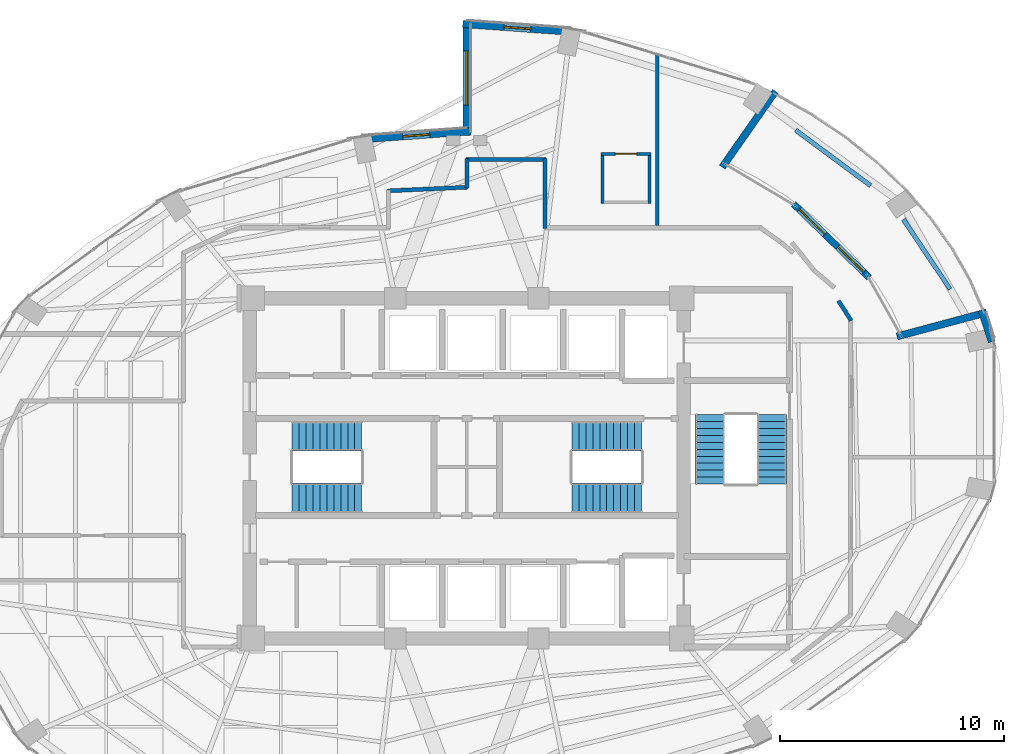
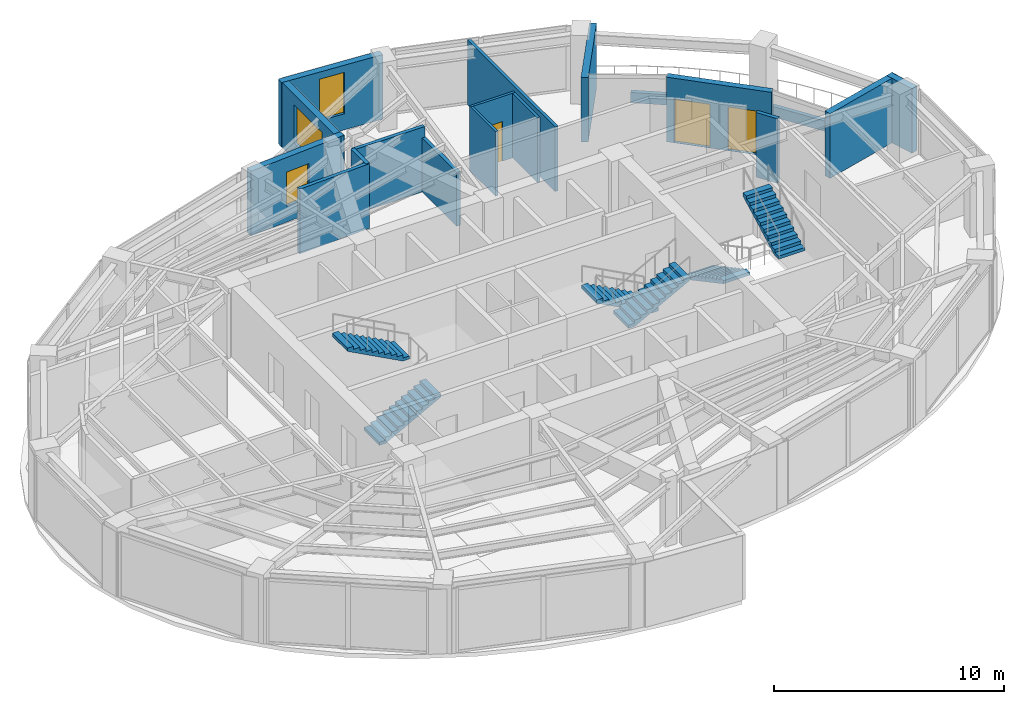
# One storey, part 17 of 19: 18 walls, 6 stair flights, 3 doors, 3 windows, 6 openings, 3 elements without a shape of their own.
"""IFC4 building model written with IfcOpenShell, lengths in metres."""

import ifcopenshell
import ifcopenshell.guid

model = None  # the IFC model being written
_history = None  # IfcOwnerHistory: only IFC2X3 demands one
_inside = {}  # id of a spatial element -> (the spatial element, [elements in it])
_under = {}  # id of a project, library or spatial element -> (it, [spatial elements below it])
_declared = {}  # id of a project -> (the project, [libraries it declares])
_typed = {}  # id of a type object -> (the type object, [elements of that type])
_made_of = {}  # id of a material, layer set ... -> (it, [elements and type objects made of it])


def new_model(schema):
    """Start an empty IFC model of exactly this schema.

    Asked for "IFC4X3", IfcOpenShell would pick the latest addendum, in which some entities
    have other attributes; the version numbers below select the first issue.
    IFC2X3 requires an IfcOwnerHistory on every rooted entity: one is made here for all.
    """
    global model, _history
    if schema == "IFC4X3":
        model = ifcopenshell.file(schema_version=(4, 3, 0, 0))
    else:
        model = ifcopenshell.file(schema=schema)
    _inside.clear()
    _under.clear()
    _declared.clear()
    _typed.clear()
    _made_of.clear()
    _history = None
    if model.schema == "IFC2X3":
        org = make("IfcOrganization", Name="unknown")
        user = make(
            "IfcPersonAndOrganization",
            ThePerson=make("IfcPerson", FamilyName="unknown"),
            TheOrganization=org,
        )
        app = make(
            "IfcApplication",
            ApplicationDeveloper=org,
            Version="unknown",
            ApplicationFullName="unknown",
            ApplicationIdentifier="unknown",
        )
        _history = make(
            "IfcOwnerHistory",
            OwningUser=user,
            OwningApplication=app,
            ChangeAction="ADDED",
            CreationDate=0,
        )
    return model


def make(cls, **values):
    """One entity of the class cls with the attributes given. An attribute that is None is left unset."""
    return model.create_entity(
        cls, **{name: value for name, value in values.items() if value is not None}
    )


def rooted(cls, **values):
    """An entity with a GlobalId (a new one), such as an element, a storey or a relation."""
    return make(cls, GlobalId=ifcopenshell.guid.new(), OwnerHistory=_history, **values)


def si_unit(unit_type, name, prefix=None):
    """IfcSIUnit, for example si_unit("LENGTHUNIT", "METRE", prefix="MILLI")."""
    return make("IfcSIUnit", UnitType=unit_type, Prefix=prefix, Name=name)


def assignment(units):
    """IfcUnitAssignment: the units of a project."""
    return None if units is None else make("IfcUnitAssignment", Units=units)


def point(xyz):
    """IfcCartesianPoint."""
    return None if xyz is None else make("IfcCartesianPoint", Coordinates=xyz)


def direction(xyz):
    """IfcDirection."""
    return None if xyz is None else make("IfcDirection", DirectionRatios=xyz)


def frame(location, z_axis=None, x_axis=None):
    """IfcAxis2Placement3D, a coordinate frame: its origin and axes. An axis left out is left unset."""
    return make(
        "IfcAxis2Placement3D",
        Location=point(location),
        Axis=direction(z_axis),
        RefDirection=direction(x_axis),
    )


def frame_2d(location, x_axis=None):
    """IfcAxis2Placement2D, a coordinate frame in the plane: its origin and x axis."""
    return make(
        "IfcAxis2Placement2D", Location=point(location), RefDirection=direction(x_axis)
    )


def origin():
    """The frame at (0, 0, 0) with its axes left unset."""
    return frame((0.0, 0.0, 0.0))


def place(relative_to, where):
    """IfcLocalPlacement: puts the frame where relative to a parent placement (None: the world)."""
    return make(
        "IfcLocalPlacement", PlacementRelTo=relative_to, RelativePlacement=where
    )


def context(
    kind, dimensions, precision=None, world=None, true_north=None, identifier=None
):
    """IfcGeometricRepresentationContext, for example the 3D "Model" context."""
    return make(
        "IfcGeometricRepresentationContext",
        ContextIdentifier=identifier,
        ContextType=kind,
        CoordinateSpaceDimension=dimensions,
        Precision=precision,
        WorldCoordinateSystem=world,
        TrueNorth=true_north,
    )


def subcontext(parent, identifier, kind, view, scale=None):
    """IfcGeometricRepresentationSubContext, for example "Body" below "Model"."""
    return make(
        "IfcGeometricRepresentationSubContext",
        ContextIdentifier=identifier,
        ContextType=kind,
        ParentContext=parent,
        TargetScale=scale,
        TargetView=view,
    )


def project(units=None, contexts=None):
    """IfcProject with its units and contexts."""
    return rooted(
        "IfcProject",
        Name="project",
        RepresentationContexts=contexts,
        UnitsInContext=assignment(units),
    )


def spatial(cls, under=None, at=None, **own):
    """A site, building, storey or space (cls), placed at a placement, below another one or the project."""
    s = rooted(cls, ObjectPlacement=at, **own)
    if under is not None:
        _under.setdefault(under.id(), (under, []))[1].append(s)
    return s


def polyline(points):
    """IfcPolyline through the points."""
    return make("IfcPolyline", Points=[point(p) for p in points])


def profile(cls, at=None, kind="AREA", **sizes):
    """A parametric profile (cls). Its sizes go by their IFC names, for example OverallWidth=200.0."""
    return make(cls, ProfileType=kind, Position=at, **sizes)


def rectangle(**sizes):
    """IfcRectangleProfileDef."""
    return profile("IfcRectangleProfileDef", **sizes)


def outline(outer, holes=None, kind="AREA"):
    """IfcArbitraryClosedProfileDef: a profile drawn as a closed curve; with holes, ...WithVoids."""
    if holes is None:
        return make("IfcArbitraryClosedProfileDef", ProfileType=kind, OuterCurve=outer)
    return make(
        "IfcArbitraryProfileDefWithVoids",
        ProfileType=kind,
        OuterCurve=outer,
        InnerCurves=holes,
    )


def extrude(swept, where, along, depth):
    """IfcExtrudedAreaSolid: the profile swept, set in the frame where, extruded along a direction by depth."""
    return make(
        "IfcExtrudedAreaSolid",
        SweptArea=swept,
        Position=where,
        ExtrudedDirection=direction(along),
        Depth=depth,
    )


def shape(context_of_items, identifier, shape_type, items):
    """IfcShapeRepresentation: the items that make up one representation, for example the "Body"."""
    return make(
        "IfcShapeRepresentation",
        ContextOfItems=context_of_items,
        RepresentationIdentifier=identifier,
        RepresentationType=shape_type,
        Items=items,
    )


def material(Name=None, Category=None):
    """IfcMaterial."""
    return make("IfcMaterial", Name=Name, Category=Category)


def layer(
    of_material, thickness, ventilated=None, Name=None, Category=None, Priority=None
):
    """IfcMaterialLayer: one layer of a wall or slab, of a material (None: an air gap)."""
    return make(
        "IfcMaterialLayer",
        Material=of_material,
        LayerThickness=thickness,
        IsVentilated=ventilated,
        Name=Name,
        Category=Category,
        Priority=Priority,
    )


def layer_set(layers, Name=None):
    """IfcMaterialLayerSet."""
    return make("IfcMaterialLayerSet", MaterialLayers=layers, LayerSetName=Name)


def made_of(thing, what):
    """Note that an element or type object is made of a material, layer set ...; save() writes the relation."""
    if what is not None:
        _made_of.setdefault(what.id(), (what, []))[1].append(thing)
    return thing


def type_object(cls, material=None, **own):
    """A type object (cls), such as IfcWallType, which elements share."""
    return made_of(rooted(cls, **own), material)


def element(
    cls,
    number,
    at=None,
    inside=None,
    cuts=None,
    type_object=None,
    material=None,
    context=None,
    identifier="Body",
    shape_type=None,
    held_by="IfcProductDefinitionShape",
    body=None,
    shapes=None,
    **own,
):
    """One element of the class cls, such as IfcWall. Its Tag is "e" and its number.

    at: its placement. inside: the storey or other place that contains it. cuts: it is an
    opening in that element (IfcRelVoidsElement). A single representation is given by context,
    identifier, shape_type and body (its items); several are given by shapes. held_by: the class
    of the entity that holds the representations. save() writes the other relations.
    """
    e = rooted(cls, Tag="e%d" % number, ObjectPlacement=at, **own)
    if body is not None:
        shapes = [shape(context, identifier, shape_type, body)]
    if shapes is not None:
        e.Representation = make(held_by, Representations=shapes)
    if inside is not None:
        _inside.setdefault(inside.id(), (inside, []))[1].append(e)
    if cuts is not None:
        rooted(
            "IfcRelVoidsElement", RelatingBuildingElement=cuts, RelatedOpeningElement=e
        )
    if type_object is not None:
        _typed.setdefault(type_object.id(), (type_object, []))[1].append(e)
    return made_of(e, material)


def fill(opening, filler):
    """IfcRelFillsElement: the door or window that sits in an opening."""
    return rooted(
        "IfcRelFillsElement",
        RelatingOpeningElement=opening,
        RelatedBuildingElement=filler,
    )


def aggregate(whole, parts):
    """IfcRelAggregates: a whole, such as a stair, and the parts it consists of."""
    return rooted("IfcRelAggregates", RelatingObject=whole, RelatedObjects=parts)


def save(model, path):
    """Write the relations noted so far, then the file.

    IfcRelAggregates (storeys below a building ...), IfcRelContainedInSpatialStructure (elements
    in a storey), IfcRelDefinesByType, IfcRelAssociatesMaterial and IfcRelDeclares: one each for
    every whole, place, type object, material and project.
    """
    for whole, parts in _under.values():
        aggregate(whole, parts)
    for where, things in _inside.values():
        rooted(
            "IfcRelContainedInSpatialStructure",
            RelatedElements=things,
            RelatingStructure=where,
        )
    for kind, things in _typed.values():
        rooted("IfcRelDefinesByType", RelatedObjects=things, RelatingType=kind)
    for what, things in _made_of.values():
        rooted("IfcRelAssociatesMaterial", RelatedObjects=things, RelatingMaterial=what)
    for by, libraries in _declared.values():
        rooted("IfcRelDeclares", RelatingContext=by, RelatedDefinitions=libraries)
    model.write(path)


model = new_model("IFC4")

# Units and contexts
model_context = context("Model", 3, precision=1e-05, world=origin(), true_north=direction((0.0, 1.0)))
body_context = subcontext(model_context, "Body", "Model", "MODEL_VIEW")
ifc_project = project(units=[si_unit("LENGTHUNIT", "METRE"), si_unit("AREAUNIT", "SQUARE_METRE"), si_unit("VOLUMEUNIT", "CUBIC_METRE"), si_unit("PLANEANGLEUNIT", "RADIAN"), si_unit("MASSUNIT", "GRAM", prefix="KILO")], contexts=[model_context])

# Site, building, storey
site_placement = place(None, origin())
site = spatial("IfcSite", under=ifc_project, at=site_placement, CompositionType="ELEMENT")
building_placement = place(site_placement, origin())
building = spatial("IfcBuilding", under=site, at=building_placement, Name="Lazwardi Medical Tower", CompositionType="ELEMENT")
storey_placement = place(building_placement, frame((0.0, 0.0, 163.823974609375)))
storey = spatial("IfcBuildingStorey", under=building, at=storey_placement, Name="L42", CompositionType="ELEMENT", Elevation=163.823974609375)

# Walls
ifc_material_1 = material(Name="Fire-rated gypsum board on steel stud", Category="steel")
ifc_layer_1 = layer(ifc_material_1, 0.179931640625)
ifc_layer_set_1 = layer_set([ifc_layer_1], Name="Fire-rated gypsum board on steel stud")
wall_type_1 = type_object("IfcWallType", Name="WL-COR-180", PredefinedType="PARTITIONING", material=ifc_layer_set_1)
wall_1_placement = place(storey_placement, frame((32.4599609375, 40.3974609375, 0.0), z_axis=(0.0, 0.0, 1.0), x_axis=(0.998948498694, 0.045846449783, 0.0)))
element("IfcWall", 1, at=wall_1_placement, inside=storey, type_object=wall_type_1, Name="L42 Corridor partition 8", PredefinedType="PARTITIONING", context=body_context, shape_type="SweptSolid", body=[
    extrude(rectangle(XDim=3.583740234375, YDim=0.179931640625, at=frame_2d((1.7919921875, 0.0))), origin(), (0.0, 0.0, 1.0), 3.427978515625),
])
wall_2_placement = place(storey_placement, frame((36.0, 40.52001953125, 0.0), z_axis=(0.0, 0.0, 1.0), x_axis=(0.0, 1.0, 0.0)))
element("IfcWall", 2, at=wall_2_placement, inside=storey, type_object=wall_type_1, Name="L42 Corridor partition 9", PredefinedType="PARTITIONING", context=body_context, shape_type="SweptSolid", body=[
    extrude(rectangle(XDim=1.320068359375, YDim=0.179931640625, at=frame_2d((0.66015625, 0.0))), origin(), (0.0, 0.0, 1.0), 3.427978515625),
])
wall_3_placement = place(storey_placement, frame((35.9599609375, 41.800048828125, 0.0), z_axis=(0.0, 0.0, 1.0), x_axis=(1.0, 0.0, 0.0)))
element("IfcWall", 3, at=wall_3_placement, inside=storey, type_object=wall_type_1, Name="L42 Corridor partition 10", PredefinedType="PARTITIONING", context=body_context, shape_type="SweptSolid", body=[
    extrude(rectangle(XDim=3.580078125, YDim=0.179931640625, at=frame_2d((1.7900390625, 0.0))), origin(), (0.0, 0.0, 1.0), 3.427978515625),
])
wall_4_placement = place(storey_placement, frame((39.5, 41.840087890625, 0.0), z_axis=(0.0, 0.0, 1.0), x_axis=(0.0, -1.0, 0.0)))
element("IfcWall", 4, at=wall_4_placement, inside=storey, type_object=wall_type_1, Name="L42 Corridor partition 11", PredefinedType="PARTITIONING", context=body_context, shape_type="SweptSolid", body=[
    extrude(rectangle(XDim=3.130126953125, YDim=0.179931640625, at=frame_2d((1.56494140625, 0.0))), origin(), (0.0, 0.0, 1.0), 2.863037109375),
])
wall_5_placement = place(storey_placement, frame((52.609130859375, 35.484130859375, 0.0), z_axis=(0.0, 0.0, 1.0), x_axis=(0.536664379082, -0.843795795335, 0.0)))
element("IfcWall", 5, at=wall_5_placement, inside=storey, type_object=wall_type_1, Name="L42 Corridor partition 17", PredefinedType="PARTITIONING", context=body_context, shape_type="SweptSolid", body=[
    extrude(rectangle(XDim=1.047607421875, YDim=0.179931640625, at=frame_2d((0.52392578125, 0.0))), origin(), (0.0, 0.0, 1.0), 3.427978515625),
])

# Wall, opening, door
ifc_material_2 = material(Name="Moisture-resistant gypsum board partition")
ifc_layer_2 = layer(ifc_material_2, 0.125)
ifc_layer_set_2 = layer_set([ifc_layer_2], Name="Moisture-resistant gypsum board partition")
wall_type_2 = type_object("IfcWallType", Name="WL-ENS-125", PredefinedType="PARTITIONING", material=ifc_layer_set_2)
wall_6_placement = place(storey_placement, frame((42.0048828125, 42.050048828125, 0.0), z_axis=(0.0, 0.0, 1.0), x_axis=(1.0, 0.0, 0.0)))
wall_6 = element("IfcWall", 6, at=wall_6_placement, inside=storey, type_object=wall_type_2, Name="L42 En-suite wall 3N", PredefinedType="PARTITIONING", context=body_context, shape_type="SweptSolid", body=[
    extrude(rectangle(XDim=2.22021484375, YDim=0.125, at=frame_2d((1.110107421875, 0.0))), origin(), (0.0, 0.0, 1.0), 3.427978515625),
])
opening_1_placement = place(wall_6_placement, frame((0.635009765625, 0.0, 0.0)))
opening_1 = element("IfcOpeningElement", 7, at=opening_1_placement, cuts=wall_6, Name="Opening D-L42-005", PredefinedType="OPENING", context=body_context, shape_type="SweptSolid", body=[
    extrude(rectangle(XDim=0.949951171875, YDim=2.10009765625, at=frame_2d((0.47509765625, 1.050048828125))), frame((0.0, 0.072509765625, 0.0), z_axis=(0.0, -1.0, 0.0), x_axis=(1.0, 0.0, 0.0)), (0.0, 0.0, 1.0), 0.14501953125),
])
ifc_material_3 = material(Name="Moisture-resistant laminate door leaf")
door_type_1 = type_object("IfcDoorType", Name="DR-ENS-950", OperationType="NOTDEFINED", PredefinedType="DOOR", material=ifc_material_3)
door_1_placement = place(opening_1_placement, origin())
door_1 = element("IfcDoor", 8, at=door_1_placement, inside=storey, type_object=door_type_1, Name="L42 En-suite Door 03", OperationType="SINGLE_SWING_LEFT", OverallHeight=2.10009765625, OverallWidth=0.949951171875, PredefinedType="DOOR", context=body_context, shape_type="SweptSolid", body=[
    extrude(rectangle(XDim=0.949951171875, YDim=2.10009765625, at=frame_2d((0.47509765625, 1.050048828125))), frame((0.0, 0.02490234375, 0.0), z_axis=(0.0, -1.0, 0.0), x_axis=(1.0, 0.0, 0.0)), (0.0, 0.0, 1.0), 0.050048828125),
])
fill(opening_1, door_1)

# Walls
for number, where, z_axis, x_axis, name in (
    (9, (44.1650390625, 39.830078125, 0.0), (0.0, 0.0, 1.0), (0.0, 1.0, 0.0), "L42 En-suite wall 3E"),
    (10, (42.06494140625, 39.830078125, 0.0), (0.0, 0.0, 1.0), (0.0, 1.0, 0.0), "L42 En-suite wall 3W"),
):
    element("IfcWall", number, at=place(storey_placement, frame(where, z_axis=z_axis, x_axis=x_axis)), inside=storey, type_object=wall_type_2, Name=name, PredefinedType="PARTITIONING", context=body_context, shape_type="SweptSolid", body=[
        extrude(rectangle(XDim=2.280029296875, YDim=0.125, at=frame_2d((1.14013671875, 0.0))), origin(), (0.0, 0.0, 1.0), 3.427978515625),
    ])

# Wall, opening, window
ifc_material_4 = material(Name="Precast concrete C45/55", Category="concrete")
ifc_layer_3 = layer(ifc_material_4, 0.320068359375)
ifc_layer_set_3 = layer_set([ifc_layer_3], Name="Precast concrete C45/55")
wall_type_3 = type_object("IfcWallType", Name="WL-IWAN-320", PredefinedType="SOLIDWALL", material=ifc_layer_set_3)
wall_7_placement = place(storey_placement, frame((40.700927734375, 47.501220703125, 0.0), z_axis=(0.0, 0.0, 1.0), x_axis=(-0.997415460462, 0.071849838072, 0.0)))
wall_7 = element("IfcWall", 11, at=wall_7_placement, inside=storey, type_object=wall_type_3, Name="L42 Iwan Portal Return Wall NE_ret", PredefinedType="SOLIDWALL", context=body_context, shape_type="SweptSolid", body=[
    extrude(rectangle(XDim=4.89306640625, YDim=0.320068359375, at=frame_2d((2.446533203125, 0.0))), origin(), (0.0, 0.0, 1.0), 3.427978515625),
])
opening_2_placement = place(wall_7_placement, frame((1.846435546875, 0.0, 0.85009765625)))
opening_2 = element("IfcOpeningElement", 12, at=opening_2_placement, cuts=wall_7, Name="Opening WN-01", PredefinedType="OPENING", context=body_context, shape_type="SweptSolid", body=[
    extrude(rectangle(XDim=1.199951171875, YDim=2.199951171875, at=frame_2d((0.60009765625, 1.10009765625))), frame((0.0, 0.169921875, 0.0), z_axis=(0.0, -1.0, 0.0), x_axis=(1.0, 0.0, 0.0)), (0.0, 0.0, 1.0), 0.340087890625),
])
ifc_material_5 = material(Name="Low-e bronze solar control double glazing", Category="glass")
window_type_1 = type_object("IfcWindowType", Name="WIN-IW-1200", PartitioningType="SINGLE_PANEL", PredefinedType="WINDOW", material=ifc_material_5)
window_1_placement = place(opening_2_placement, origin())
window_1 = element("IfcWindow", 13, at=window_1_placement, inside=storey, type_object=window_type_1, Name="L42 Iwan Slot Window NE_ret", OverallHeight=2.199951171875, OverallWidth=1.199951171875, PartitioningType="SINGLE_PANEL", PredefinedType="WINDOW", context=body_context, shape_type="SweptSolid", body=[
    extrude(rectangle(XDim=1.199951171875, YDim=2.199951171875, at=frame_2d((0.60009765625, 1.10009765625))), frame((0.0, 0.030029296875, 0.0), z_axis=(0.0, -1.0, 0.0), x_axis=(1.0, 0.0, 0.0)), (0.0, 0.0, 1.0), 0.06005859375),
])
fill(opening_2, window_1)

wall_8_placement = place(storey_placement, frame((36.17919921875, 43.052978515625, 0.0), z_axis=(0.0, 0.0, 1.0), x_axis=(-0.997415202861, -0.071853413984, 0.0)))
wall_8 = element("IfcWall", 14, at=wall_8_placement, inside=storey, type_object=wall_type_3, Name="L42 Iwan Portal Return Wall NW_ret", PredefinedType="SOLIDWALL", context=body_context, shape_type="SweptSolid", body=[
    extrude(rectangle(XDim=4.892822265625, YDim=0.320068359375, at=frame_2d((2.4462890625, 0.0))), origin(), (0.0, 0.0, 1.0), 3.427978515625),
])
opening_3_placement = place(wall_8_placement, frame((1.84619140625, 0.0, 0.85009765625)))
opening_3 = element("IfcOpeningElement", 15, at=opening_3_placement, cuts=wall_8, Name="Opening WN-04", PredefinedType="OPENING", context=body_context, shape_type="SweptSolid", body=[
    extrude(rectangle(XDim=1.199951171875, YDim=1.800048828125, at=frame_2d((0.60009765625, 0.89990234375))), frame((0.0, 0.169921875, 0.0), z_axis=(0.0, -1.0, 0.0), x_axis=(1.0, 0.0, 0.0)), (0.0, 0.0, 1.0), 0.340087890625),
])
window_type_2 = type_object("IfcWindowType", Name="WIN-DRUM-1200", PartitioningType="SINGLE_PANEL", PredefinedType="WINDOW", material=ifc_material_5)
window_2_placement = place(opening_3_placement, origin())
window_2 = element("IfcWindow", 16, at=window_2_placement, inside=storey, type_object=window_type_2, Name="L42 Iwan Slot Window NW_ret", OverallHeight=1.800048828125, OverallWidth=1.199951171875, PartitioningType="SINGLE_PANEL", PredefinedType="WINDOW", context=body_context, shape_type="SweptSolid", body=[
    extrude(rectangle(XDim=1.199951171875, YDim=1.800048828125, at=frame_2d((0.60009765625, 0.89990234375))), frame((0.0, 0.030029296875, 0.0), z_axis=(0.0, -1.0, 0.0), x_axis=(1.0, 0.0, 0.0)), (0.0, 0.0, 1.0), 0.06005859375),
])
fill(opening_3, window_2)

wall_9_placement = place(storey_placement, frame((36.0, 48.0, 0.0), z_axis=(0.0, 0.0, 1.0), x_axis=(0.0, -1.0, 0.0)))
wall_9 = element("IfcWall", 17, at=wall_9_placement, inside=storey, type_object=wall_type_3, Name="L42 Turquoise Tilework Iwan Seam Wall N_seam", PredefinedType="SOLIDWALL", context=body_context, shape_type="SweptSolid", body=[
    extrude(rectangle(XDim=5.1201171875, YDim=0.320068359375, at=frame_2d((2.56005859375, 0.0))), origin(), (0.0, 0.0, 1.0), 3.427978515625),
])
opening_4_placement = place(wall_9_placement, frame((1.360107421875, 0.0, 0.840087890625)))
opening_4 = element("IfcOpeningElement", 18, at=opening_4_placement, cuts=wall_9, Name="Opening WN-02", PredefinedType="OPENING", context=body_context, shape_type="SweptSolid", body=[
    extrude(rectangle(XDim=2.39990234375, YDim=2.0400390625, at=frame_2d((1.199951171875, 1.02001953125))), frame((0.0, 0.169921875, 0.0), z_axis=(0.0, -1.0, 0.0), x_axis=(1.0, 0.0, 0.0)), (0.0, 0.0, 1.0), 0.340087890625),
])
window_type_3 = type_object("IfcWindowType", Name="WIN-IW-2400", PartitioningType="SINGLE_PANEL", PredefinedType="WINDOW", material=ifc_material_5)
window_3_placement = place(opening_4_placement, origin())
window_3 = element("IfcWindow", 19, at=window_3_placement, inside=storey, type_object=window_type_3, Name="L42 Iwan Seam Window N_seam", OverallHeight=2.0400390625, OverallWidth=2.39990234375, PartitioningType="SINGLE_PANEL", PredefinedType="WINDOW", context=body_context, shape_type="SweptSolid", body=[
    extrude(rectangle(XDim=2.39990234375, YDim=2.0400390625, at=frame_2d((1.199951171875, 1.02001953125))), frame((0.0, 0.030029296875, 0.0), z_axis=(0.0, -1.0, 0.0), x_axis=(1.0, 0.0, 0.0)), (0.0, 0.0, 1.0), 0.06005859375),
])
fill(opening_4, window_3)

# Walls
wall_10_placement = place(storey_placement, frame((59.220947265625, 34.965576171875, 0.0), z_axis=(0.0, 0.0, 1.0), x_axis=(-0.965925940868, -0.258818617489, 0.0)))
element("IfcWall", 20, at=wall_10_placement, inside=storey, type_object=wall_type_3, Name="L42 Sky Garden SG3 Flank Wall S0", PredefinedType="SOLIDWALL", context=body_context, shape_type="SweptSolid", body=[
    extrude(rectangle(XDim=4.14013671875, YDim=0.320068359375, at=frame_2d((2.070068359375, 0.0))), origin(), (0.0, 0.0, 1.0), 3.427978515625),
])
wall_11_placement = place(storey_placement, frame((49.788818359375, 44.849853515625, 0.0), z_axis=(0.0, 0.0, 1.0), x_axis=(-0.57355337011, -0.819168194961, 0.0)))
element("IfcWall", 21, at=wall_11_placement, inside=storey, type_object=wall_type_3, Name="L42 Sky Garden SG3 Flank Wall S1", PredefinedType="SOLIDWALL", context=body_context, shape_type="SweptSolid", body=[
    extrude(rectangle(XDim=4.139892578125, YDim=0.320068359375, at=frame_2d((2.06982421875, 0.0))), origin(), (0.0, 0.0, 1.0), 3.427978515625),
])
wall_12_placement = place(storey_placement, frame((59.4501953125, 33.65380859375, 0.0), z_axis=(0.0, 0.0, 1.0), x_axis=(-0.303745470451, 0.952753215256, 0.0)))
element("IfcWall", 22, at=wall_12_placement, inside=storey, type_object=wall_type_3, Name="L42 Sky Garden SG3 Jamb Return Wall", PredefinedType="SOLIDWALL", context=body_context, shape_type="SweptSolid", body=[
    extrude(rectangle(XDim=1.48779296875, YDim=0.320068359375, at=frame_2d((0.743896484375, 0.0))), origin(), (0.0, 0.0, 1.0), 3.427978515625),
])

# Wall, openings, doors
ifc_layer_4 = layer(ifc_material_4, 0.300048828125)
ifc_layer_set_4 = layer_set([ifc_layer_4], Name="Precast concrete C45/55")
wall_type_4 = type_object("IfcWallType", Name="WL-LOBBY-300", PredefinedType="SOLIDWALL", material=ifc_layer_set_4)
wall_13_placement = place(storey_placement, frame((53.977294921875, 36.52685546875, 0.0), z_axis=(0.0, 0.0, 1.0), x_axis=(-0.716702137791, 0.697379413007, 0.0)))
wall_13 = element("IfcWall", 23, at=wall_13_placement, inside=storey, type_object=wall_type_4, Name="L42 Sky Garden SG3 Loggia Portal Wall", PredefinedType="SOLIDWALL", context=body_context, shape_type="SweptSolid", body=[
    extrude(rectangle(XDim=4.712890625, YDim=0.300048828125, at=frame_2d((2.3564453125, 0.0))), origin(), (0.0, 0.0, 1.0), 3.427978515625),
])
opening_5_placement = place(wall_13_placement, frame((0.35009765625, 0.0, 0.02001953125)))
opening_5 = element("IfcOpeningElement", 24, at=opening_5_placement, cuts=wall_13, Name="Opening D-L42-021", PredefinedType="OPENING", context=body_context, shape_type="SweptSolid", body=[
    extrude(rectangle(XDim=1.60009765625, YDim=2.300048828125, at=frame_2d((0.800048828125, 1.14990234375))), frame((0.0, 0.159912109375, 0.0), z_axis=(0.0, -1.0, 0.0), x_axis=(1.0, 0.0, 0.0)), (0.0, 0.0, 1.0), 0.320068359375),
])
opening_6_placement = place(wall_13_placement, frame((2.7626953125, 0.0, 0.02001953125)))
opening_6 = element("IfcOpeningElement", 25, at=opening_6_placement, cuts=wall_13, Name="Opening D-L42-022", PredefinedType="OPENING", context=body_context, shape_type="SweptSolid", body=[
    extrude(rectangle(XDim=1.60009765625, YDim=2.300048828125, at=frame_2d((0.800048828125, 1.14990234375))), frame((0.0, 0.159912109375, 0.0), z_axis=(0.0, -1.0, 0.0), x_axis=(1.0, 0.0, 0.0)), (0.0, 0.0, 1.0), 0.320068359375),
])
ifc_material_6 = material(Name="Anodised bronze aluminium and laminated glass", Category="aluminium")
door_type_2 = type_object("IfcDoorType", Name="DR-SKG-1600", OperationType="NOTDEFINED", PredefinedType="DOOR", material=ifc_material_6)
door_2_placement = place(opening_5_placement, origin())
door_2 = element("IfcDoor", 26, at=door_2_placement, inside=storey, type_object=door_type_2, Name="L42 Sky Garden SG3 Terrace Door 1", OperationType="DOUBLE_DOOR_SINGLE_SWING", OverallHeight=2.300048828125, OverallWidth=1.60009765625, PredefinedType="DOOR", context=body_context, shape_type="SweptSolid", body=[
    extrude(rectangle(XDim=1.60009765625, YDim=2.300048828125, at=frame_2d((0.800048828125, 1.14990234375))), frame((0.0, 0.02490234375, 0.0), z_axis=(0.0, -1.0, 0.0), x_axis=(1.0, 0.0, 0.0)), (0.0, 0.0, 1.0), 0.050048828125),
])
fill(opening_5, door_2)
door_3_placement = place(opening_6_placement, origin())
door_3 = element("IfcDoor", 27, at=door_3_placement, inside=storey, type_object=door_type_2, Name="L42 Sky Garden SG3 Terrace Door 2", OperationType="DOUBLE_DOOR_SINGLE_SWING", OverallHeight=2.300048828125, OverallWidth=1.60009765625, PredefinedType="DOOR", context=body_context, shape_type="SweptSolid", body=[
    extrude(rectangle(XDim=1.60009765625, YDim=2.300048828125, at=frame_2d((0.800048828125, 1.14990234375))), frame((0.0, 0.02490234375, 0.0), z_axis=(0.0, -1.0, 0.0), x_axis=(1.0, 0.0, 0.0)), (0.0, 0.0, 1.0), 0.050048828125),
])
fill(opening_6, door_3)

# Walls
ifc_material_7 = material(Name="Precast concrete C40/50", Category="concrete")
ifc_layer_5 = layer(ifc_material_7, 0.199951171875)
ifc_layer_set_5 = layer_set([ifc_layer_5], Name="Precast concrete C40/50")
wall_type_5 = type_object("IfcWallType", Name="WL-PLN-200", PredefinedType="PARAPET", material=ifc_layer_set_5)
wall_14_placement = place(storey_placement, frame((57.59326171875, 36.006103515625, 0.0), z_axis=(0.0, 0.0, 1.0), x_axis=(-0.556861629804, 0.830605276441, 0.0)))
element("IfcWall", 28, at=wall_14_placement, inside=storey, type_object=wall_type_5, Name="L42 Sky Garden SG3 Structural Planter 1", PredefinedType="PARAPET", context=body_context, shape_type="SweptSolid", body=[
    extrude(rectangle(XDim=3.750244140625, YDim=0.199951171875, at=frame_2d((1.875, 0.0))), origin(), (0.0, 0.0, 1.0), 0.550048828125),
])
wall_15_placement = place(storey_placement, frame((54.035400390625, 40.634765625, 0.0), z_axis=(0.0, 0.0, 1.0), x_axis=(-0.803273565066, 0.595610258194, 0.0)))
element("IfcWall", 29, at=wall_15_placement, inside=storey, type_object=wall_type_5, Name="L42 Sky Garden SG3 Structural Planter 2", PredefinedType="PARAPET", context=body_context, shape_type="SweptSolid", body=[
    extrude(rectangle(XDim=4.1640625, YDim=0.199951171875, at=frame_2d((2.08203125, 0.0))), origin(), (0.0, 0.0, 1.0), 0.550048828125),
])
ifc_material_8 = material(Name="Acoustic gypsum board partition")
ifc_layer_6 = layer(ifc_material_8, 0.14990234375)
ifc_layer_set_6 = layer_set([ifc_layer_6], Name="Acoustic gypsum board partition")
wall_type_6 = type_object("IfcWallType", Name="WL-WRD-150", PredefinedType="PARTITIONING", material=ifc_layer_set_6)
wall_16_placement = place(storey_placement, frame((44.5, 38.840087890625, 0.0), z_axis=(0.0, 0.0, 1.0), x_axis=(0.0, 1.0, 0.0)))
element("IfcWall", 30, at=wall_16_placement, inside=storey, type_object=wall_type_6, Name="L42 Room partition 4", PredefinedType="PARTITIONING", context=body_context, shape_type="SweptSolid", body=[
    extrude(rectangle(XDim=7.639404296875, YDim=0.14990234375, at=frame_2d((3.81982421875, 0.0))), origin(), (0.0, 0.0, 1.0), 3.427978515625),
])

# Stair, stair flights
ifc_material_9 = material(Name="Concrete C45/55", Category="concrete")
stair_type = type_object("IfcStairType", Name="STR-WRD", PredefinedType="HALF_TURN_STAIR", material=ifc_material_9)
stair_1_placement = place(storey_placement, origin())
stair_1 = element("IfcStair", 31, at=stair_1_placement, inside=storey, type_object=stair_type, Name="L42 Protected Exit Stair ST1", PredefinedType="HALF_TURN_STAIR")
stair_flight_type = type_object("IfcStairFlightType", Name="FLT-WRD", PredefinedType="STRAIGHT", material=ifc_material_9)
stair_flight_1_placement = place(storey_placement, frame((28.199951171875, 26.679931640625, 0.0), z_axis=(0.0, 0.0, 1.0), x_axis=(1.0, 0.0, 0.0)))
stair_flight_1 = element("IfcStairFlight", 32, at=stair_flight_1_placement, type_object=stair_flight_type, Name="ST1 flight 1", NumberOfRisers=11, NumberOfTreads=10, PredefinedType="STRAIGHT", RiserHeight=0.165818182, TreadLength=0.31, context=body_context, shape_type="SweptSolid", body=[
    extrude(outline(polyline([(0.0, 0.0), (0.0, 0.165771484375), (0.31005859375, 0.165771484375), (0.31005859375, 0.33154296875), (0.6201171875, 0.33154296875), (0.6201171875, 0.49755859375), (0.929931640625, 0.49755859375), (0.929931640625, 0.663330078125), (1.239990234375, 0.663330078125), (1.239990234375, 0.8291015625), (1.550048828125, 0.8291015625), (1.550048828125, 0.994873046875), (1.860107421875, 0.994873046875), (1.860107421875, 1.16064453125), (2.169921875, 1.16064453125), (2.169921875, 1.32666015625), (2.47998046875, 1.32666015625), (2.47998046875, 1.492431640625), (2.7900390625, 1.492431640625), (2.7900390625, 1.658203125), (3.10009765625, 1.658203125), (3.10009765625, 1.823974609375), (3.10009765625, 1.48828125), (0.31787109375, 0.0), (0.0, 0.0)])), frame((0.0, 0.66015625, 0.0), z_axis=(0.0, -1.0, 0.0), x_axis=(1.0, 0.0, 0.0)), (0.0, 0.0, 1.0), 1.320068359375),
])
stair_flight_2_placement = place(storey_placement, frame((31.300048828125, 29.43994140625, 1.823974609375), z_axis=(0.0, 0.0, 1.0), x_axis=(-1.0, 0.0, 0.0)))
stair_flight_2 = element("IfcStairFlight", 33, at=stair_flight_2_placement, type_object=stair_flight_type, Name="ST1 flight 2", NumberOfRisers=11, NumberOfTreads=10, PredefinedType="STRAIGHT", RiserHeight=0.165818182, TreadLength=0.31, context=body_context, shape_type="SweptSolid", body=[
    extrude(outline(polyline([(0.0, 0.0), (0.0, 0.165771484375), (0.31005859375, 0.165771484375), (0.31005859375, 0.33154296875), (0.6201171875, 0.33154296875), (0.6201171875, 0.49755859375), (0.929931640625, 0.49755859375), (0.929931640625, 0.663330078125), (1.239990234375, 0.663330078125), (1.239990234375, 0.8291015625), (1.550048828125, 0.8291015625), (1.550048828125, 0.994873046875), (1.860107421875, 0.994873046875), (1.860107421875, 1.16064453125), (2.169921875, 1.16064453125), (2.169921875, 1.32666015625), (2.47998046875, 1.32666015625), (2.47998046875, 1.492431640625), (2.7900390625, 1.492431640625), (2.7900390625, 1.658203125), (3.10009765625, 1.658203125), (3.10009765625, 1.823974609375), (3.10009765625, 1.48828125), (0.31787109375, 0.0), (0.0, 0.0)])), frame((0.0, 0.66015625, 0.0), z_axis=(0.0, -1.0, 0.0), x_axis=(1.0, 0.0, 0.0)), (0.0, 0.0, 1.0), 1.320068359375),
])
aggregate(stair_1, [stair_flight_1, stair_flight_2])

stair_2_placement = place(storey_placement, origin())
stair_2 = element("IfcStair", 34, at=stair_2_placement, inside=storey, type_object=stair_type, Name="L42 Protected Exit Stair ST2", PredefinedType="HALF_TURN_STAIR")
stair_flight_3_placement = place(storey_placement, frame((43.800048828125, 29.43994140625, 0.0), z_axis=(0.0, 0.0, 1.0), x_axis=(-1.0, 0.0, 0.0)))
stair_flight_3 = element("IfcStairFlight", 35, at=stair_flight_3_placement, type_object=stair_flight_type, Name="ST2 flight 1", NumberOfRisers=11, NumberOfTreads=10, PredefinedType="STRAIGHT", RiserHeight=0.165818182, TreadLength=0.31, context=body_context, shape_type="SweptSolid", body=[
    extrude(outline(polyline([(0.0, 0.0), (0.0, 0.165771484375), (0.31005859375, 0.165771484375), (0.31005859375, 0.33154296875), (0.6201171875, 0.33154296875), (0.6201171875, 0.49755859375), (0.929931640625, 0.49755859375), (0.929931640625, 0.663330078125), (1.239990234375, 0.663330078125), (1.239990234375, 0.8291015625), (1.550048828125, 0.8291015625), (1.550048828125, 0.994873046875), (1.860107421875, 0.994873046875), (1.860107421875, 1.16064453125), (2.169921875, 1.16064453125), (2.169921875, 1.32666015625), (2.47998046875, 1.32666015625), (2.47998046875, 1.492431640625), (2.7900390625, 1.492431640625), (2.7900390625, 1.658203125), (3.10009765625, 1.658203125), (3.10009765625, 1.823974609375), (3.10009765625, 1.48828125), (0.31787109375, 0.0), (0.0, 0.0)])), frame((0.0, 0.66015625, 0.0), z_axis=(0.0, -1.0, 0.0), x_axis=(1.0, 0.0, 0.0)), (0.0, 0.0, 1.0), 1.320068359375),
])
stair_flight_4_placement = place(storey_placement, frame((40.699951171875, 26.679931640625, 1.823974609375), z_axis=(0.0, 0.0, 1.0), x_axis=(1.0, 0.0, 0.0)))
stair_flight_4 = element("IfcStairFlight", 36, at=stair_flight_4_placement, type_object=stair_flight_type, Name="ST2 flight 2", NumberOfRisers=11, NumberOfTreads=10, PredefinedType="STRAIGHT", RiserHeight=0.165818182, TreadLength=0.31, context=body_context, shape_type="SweptSolid", body=[
    extrude(outline(polyline([(0.0, 0.0), (0.0, 0.165771484375), (0.31005859375, 0.165771484375), (0.31005859375, 0.33154296875), (0.6201171875, 0.33154296875), (0.6201171875, 0.49755859375), (0.929931640625, 0.49755859375), (0.929931640625, 0.663330078125), (1.239990234375, 0.663330078125), (1.239990234375, 0.8291015625), (1.550048828125, 0.8291015625), (1.550048828125, 0.994873046875), (1.860107421875, 0.994873046875), (1.860107421875, 1.16064453125), (2.169921875, 1.16064453125), (2.169921875, 1.32666015625), (2.47998046875, 1.32666015625), (2.47998046875, 1.492431640625), (2.7900390625, 1.492431640625), (2.7900390625, 1.658203125), (3.10009765625, 1.658203125), (3.10009765625, 1.823974609375), (3.10009765625, 1.48828125), (0.31787109375, 0.0), (0.0, 0.0)])), frame((0.0, 0.66015625, 0.0), z_axis=(0.0, -1.0, 0.0), x_axis=(1.0, 0.0, 0.0)), (0.0, 0.0, 1.0), 1.320068359375),
])
aggregate(stair_2, [stair_flight_3, stair_flight_4])

stair_3_placement = place(storey_placement, origin())
stair_3 = element("IfcStair", 37, at=stair_3_placement, inside=storey, type_object=stair_type, Name="L42 Protected Exit Stair ST3", PredefinedType="HALF_TURN_STAIR")
stair_flight_5_placement = place(storey_placement, frame((46.860107421875, 30.39990234375, 0.0), z_axis=(0.0, 0.0, 1.0), x_axis=(0.0, -1.0, 0.0)))
stair_flight_5 = element("IfcStairFlight", 38, at=stair_flight_5_placement, type_object=stair_flight_type, Name="ST3 flight 1", NumberOfRisers=11, NumberOfTreads=10, PredefinedType="STRAIGHT", RiserHeight=0.165818182, TreadLength=0.31, context=body_context, shape_type="SweptSolid", body=[
    extrude(outline(polyline([(0.0, 0.0), (0.0, 0.165771484375), (0.31005859375, 0.165771484375), (0.31005859375, 0.33154296875), (0.6201171875, 0.33154296875), (0.6201171875, 0.49755859375), (0.929931640625, 0.49755859375), (0.929931640625, 0.663330078125), (1.239990234375, 0.663330078125), (1.239990234375, 0.8291015625), (1.550048828125, 0.8291015625), (1.550048828125, 0.994873046875), (1.860107421875, 0.994873046875), (1.860107421875, 1.16064453125), (2.169921875, 1.16064453125), (2.169921875, 1.32666015625), (2.47998046875, 1.32666015625), (2.47998046875, 1.492431640625), (2.7900390625, 1.492431640625), (2.7900390625, 1.658203125), (3.10009765625, 1.658203125), (3.10009765625, 1.823974609375), (3.10009765625, 1.48828125), (0.31787109375, 0.0), (0.0, 0.0)])), frame((0.0, 0.66015625, 0.0), z_axis=(0.0, -1.0, 0.0), x_axis=(1.0, 0.0, 0.0)), (0.0, 0.0, 1.0), 1.320068359375),
])
stair_flight_6_placement = place(storey_placement, frame((49.6201171875, 27.300048828125, 1.823974609375), z_axis=(0.0, 0.0, 1.0), x_axis=(0.0, 1.0, 0.0)))
stair_flight_6 = element("IfcStairFlight", 39, at=stair_flight_6_placement, type_object=stair_flight_type, Name="ST3 flight 2", NumberOfRisers=11, NumberOfTreads=10, PredefinedType="STRAIGHT", RiserHeight=0.165818182, TreadLength=0.31, context=body_context, shape_type="SweptSolid", body=[
    extrude(outline(polyline([(0.0, 0.0), (0.0, 0.165771484375), (0.31005859375, 0.165771484375), (0.31005859375, 0.33154296875), (0.6201171875, 0.33154296875), (0.6201171875, 0.49755859375), (0.929931640625, 0.49755859375), (0.929931640625, 0.663330078125), (1.239990234375, 0.663330078125), (1.239990234375, 0.8291015625), (1.550048828125, 0.8291015625), (1.550048828125, 0.994873046875), (1.860107421875, 0.994873046875), (1.860107421875, 1.16064453125), (2.169921875, 1.16064453125), (2.169921875, 1.32666015625), (2.47998046875, 1.32666015625), (2.47998046875, 1.492431640625), (2.7900390625, 1.492431640625), (2.7900390625, 1.658203125), (3.10009765625, 1.658203125), (3.10009765625, 1.823974609375), (3.10009765625, 1.48828125), (0.31787109375, 0.0), (0.0, 0.0)])), frame((0.0, 0.66015625, 0.0), z_axis=(0.0, -1.0, 0.0), x_axis=(1.0, 0.0, 0.0)), (0.0, 0.0, 1.0), 1.320068359375),
])
aggregate(stair_3, [stair_flight_5, stair_flight_6])

save(model, "model.ifc")
